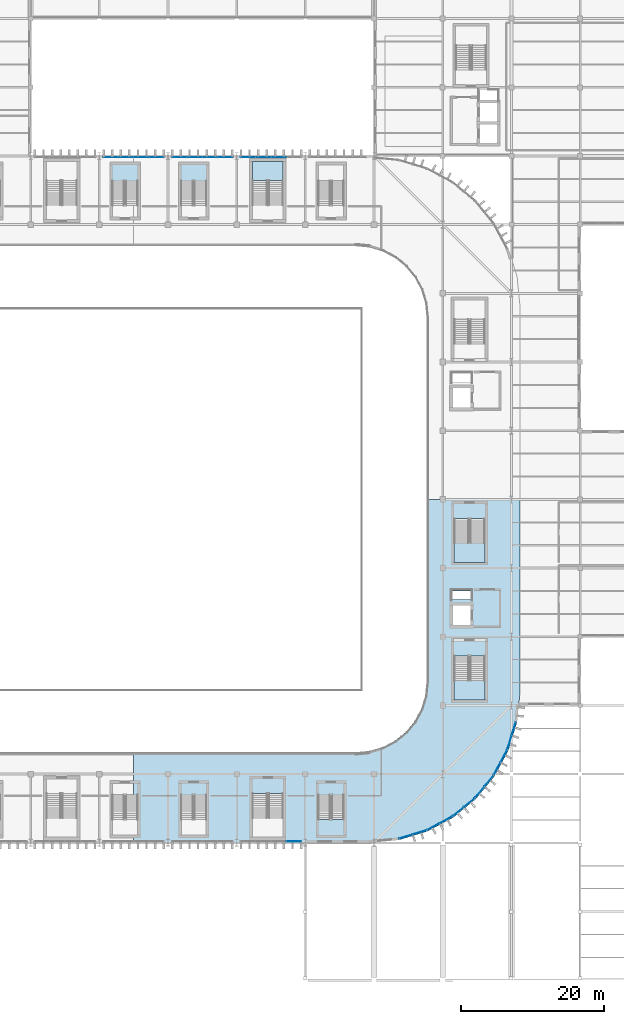
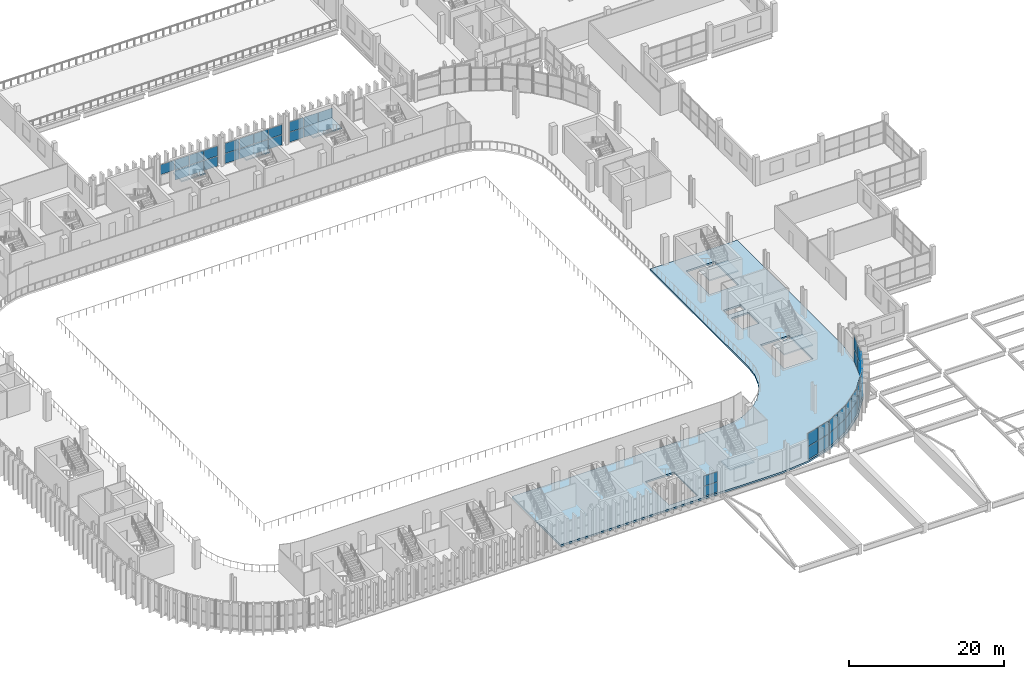
# One storey, part 39 of 75: 47 plates, 7 slabs, 16 elements without a shape of their own.
"""IFC4 building model written with IfcOpenShell, lengths in metres."""

import ifcopenshell
import ifcopenshell.guid

model = None  # the IFC model being written
_history = None  # IfcOwnerHistory: only IFC2X3 demands one
_inside = {}  # id of a spatial element -> (the spatial element, [elements in it])
_under = {}  # id of a project, library or spatial element -> (it, [spatial elements below it])
_declared = {}  # id of a project -> (the project, [libraries it declares])
_typed = {}  # id of a type object -> (the type object, [elements of that type])
_made_of = {}  # id of a material, layer set ... -> (it, [elements and type objects made of it])


def new_model(schema):
    """Start an empty IFC model of exactly this schema.

    Asked for "IFC4X3", IfcOpenShell would pick the latest addendum, in which some entities
    have other attributes; the version numbers below select the first issue.
    IFC2X3 requires an IfcOwnerHistory on every rooted entity: one is made here for all.
    """
    global model, _history
    if schema == "IFC4X3":
        model = ifcopenshell.file(schema_version=(4, 3, 0, 0))
    else:
        model = ifcopenshell.file(schema=schema)
    _inside.clear()
    _under.clear()
    _declared.clear()
    _typed.clear()
    _made_of.clear()
    _history = None
    if model.schema == "IFC2X3":
        org = make("IfcOrganization", Name="unknown")
        user = make(
            "IfcPersonAndOrganization",
            ThePerson=make("IfcPerson", FamilyName="unknown"),
            TheOrganization=org,
        )
        app = make(
            "IfcApplication",
            ApplicationDeveloper=org,
            Version="unknown",
            ApplicationFullName="unknown",
            ApplicationIdentifier="unknown",
        )
        _history = make(
            "IfcOwnerHistory",
            OwningUser=user,
            OwningApplication=app,
            ChangeAction="ADDED",
            CreationDate=0,
        )
    return model


def make(cls, **values):
    """One entity of the class cls with the attributes given. An attribute that is None is left unset."""
    return model.create_entity(
        cls, **{name: value for name, value in values.items() if value is not None}
    )


def rooted(cls, **values):
    """An entity with a GlobalId (a new one), such as an element, a storey or a relation."""
    return make(cls, GlobalId=ifcopenshell.guid.new(), OwnerHistory=_history, **values)


def si_unit(unit_type, name, prefix=None):
    """IfcSIUnit, for example si_unit("LENGTHUNIT", "METRE", prefix="MILLI")."""
    return make("IfcSIUnit", UnitType=unit_type, Prefix=prefix, Name=name)


def assignment(units):
    """IfcUnitAssignment: the units of a project."""
    return None if units is None else make("IfcUnitAssignment", Units=units)


def point(xyz):
    """IfcCartesianPoint."""
    return None if xyz is None else make("IfcCartesianPoint", Coordinates=xyz)


def direction(xyz):
    """IfcDirection."""
    return None if xyz is None else make("IfcDirection", DirectionRatios=xyz)


def frame(location, z_axis=None, x_axis=None):
    """IfcAxis2Placement3D, a coordinate frame: its origin and axes. An axis left out is left unset."""
    return make(
        "IfcAxis2Placement3D",
        Location=point(location),
        Axis=direction(z_axis),
        RefDirection=direction(x_axis),
    )


def frame_2d(location, x_axis=None):
    """IfcAxis2Placement2D, a coordinate frame in the plane: its origin and x axis."""
    return make(
        "IfcAxis2Placement2D", Location=point(location), RefDirection=direction(x_axis)
    )


def origin():
    """The frame at (0, 0, 0) with its axes left unset."""
    return frame((0.0, 0.0, 0.0))


def origin_2d():
    """The frame at (0, 0) in the plane with its x axis left unset."""
    return frame_2d((0.0, 0.0))


def place(relative_to, where):
    """IfcLocalPlacement: puts the frame where relative to a parent placement (None: the world)."""
    return make(
        "IfcLocalPlacement", PlacementRelTo=relative_to, RelativePlacement=where
    )


def context(
    kind, dimensions, precision=None, world=None, true_north=None, identifier=None
):
    """IfcGeometricRepresentationContext, for example the 3D "Model" context."""
    return make(
        "IfcGeometricRepresentationContext",
        ContextIdentifier=identifier,
        ContextType=kind,
        CoordinateSpaceDimension=dimensions,
        Precision=precision,
        WorldCoordinateSystem=world,
        TrueNorth=true_north,
    )


def subcontext(parent, identifier, kind, view, scale=None):
    """IfcGeometricRepresentationSubContext, for example "Body" below "Model"."""
    return make(
        "IfcGeometricRepresentationSubContext",
        ContextIdentifier=identifier,
        ContextType=kind,
        ParentContext=parent,
        TargetScale=scale,
        TargetView=view,
    )


def project(units=None, contexts=None):
    """IfcProject with its units and contexts."""
    return rooted(
        "IfcProject",
        Name="project",
        RepresentationContexts=contexts,
        UnitsInContext=assignment(units),
    )


def spatial(cls, under=None, at=None, **own):
    """A site, building, storey or space (cls), placed at a placement, below another one or the project."""
    s = rooted(cls, ObjectPlacement=at, **own)
    if under is not None:
        _under.setdefault(under.id(), (under, []))[1].append(s)
    return s


def polyline(points):
    """IfcPolyline through the points."""
    return make("IfcPolyline", Points=[point(p) for p in points])


def profile(cls, at=None, kind="AREA", **sizes):
    """A parametric profile (cls). Its sizes go by their IFC names, for example OverallWidth=200.0."""
    return make(cls, ProfileType=kind, Position=at, **sizes)


def rectangle(**sizes):
    """IfcRectangleProfileDef."""
    return profile("IfcRectangleProfileDef", **sizes)


def outline(outer, holes=None, kind="AREA"):
    """IfcArbitraryClosedProfileDef: a profile drawn as a closed curve; with holes, ...WithVoids."""
    if holes is None:
        return make("IfcArbitraryClosedProfileDef", ProfileType=kind, OuterCurve=outer)
    return make(
        "IfcArbitraryProfileDefWithVoids",
        ProfileType=kind,
        OuterCurve=outer,
        InnerCurves=holes,
    )


def extrude(swept, where, along, depth):
    """IfcExtrudedAreaSolid: the profile swept, set in the frame where, extruded along a direction by depth."""
    return make(
        "IfcExtrudedAreaSolid",
        SweptArea=swept,
        Position=where,
        ExtrudedDirection=direction(along),
        Depth=depth,
    )


def shape(context_of_items, identifier, shape_type, items):
    """IfcShapeRepresentation: the items that make up one representation, for example the "Body"."""
    return make(
        "IfcShapeRepresentation",
        ContextOfItems=context_of_items,
        RepresentationIdentifier=identifier,
        RepresentationType=shape_type,
        Items=items,
    )


def material(Name=None, Category=None):
    """IfcMaterial."""
    return make("IfcMaterial", Name=Name, Category=Category)


def layer(
    of_material, thickness, ventilated=None, Name=None, Category=None, Priority=None
):
    """IfcMaterialLayer: one layer of a wall or slab, of a material (None: an air gap)."""
    return make(
        "IfcMaterialLayer",
        Material=of_material,
        LayerThickness=thickness,
        IsVentilated=ventilated,
        Name=Name,
        Category=Category,
        Priority=Priority,
    )


def layer_set(layers, Name=None):
    """IfcMaterialLayerSet."""
    return make("IfcMaterialLayerSet", MaterialLayers=layers, LayerSetName=Name)


def made_of(thing, what):
    """Note that an element or type object is made of a material, layer set ...; save() writes the relation."""
    if what is not None:
        _made_of.setdefault(what.id(), (what, []))[1].append(thing)
    return thing


def type_object(cls, material=None, **own):
    """A type object (cls), such as IfcWallType, which elements share."""
    return made_of(rooted(cls, **own), material)


def element(
    cls,
    number,
    at=None,
    inside=None,
    cuts=None,
    type_object=None,
    material=None,
    context=None,
    identifier="Body",
    shape_type=None,
    held_by="IfcProductDefinitionShape",
    body=None,
    shapes=None,
    **own,
):
    """One element of the class cls, such as IfcWall. Its Tag is "e" and its number.

    at: its placement. inside: the storey or other place that contains it. cuts: it is an
    opening in that element (IfcRelVoidsElement). A single representation is given by context,
    identifier, shape_type and body (its items); several are given by shapes. held_by: the class
    of the entity that holds the representations. save() writes the other relations.
    """
    e = rooted(cls, Tag="e%d" % number, ObjectPlacement=at, **own)
    if body is not None:
        shapes = [shape(context, identifier, shape_type, body)]
    if shapes is not None:
        e.Representation = make(held_by, Representations=shapes)
    if inside is not None:
        _inside.setdefault(inside.id(), (inside, []))[1].append(e)
    if cuts is not None:
        rooted(
            "IfcRelVoidsElement", RelatingBuildingElement=cuts, RelatedOpeningElement=e
        )
    if type_object is not None:
        _typed.setdefault(type_object.id(), (type_object, []))[1].append(e)
    return made_of(e, material)


def aggregate(whole, parts):
    """IfcRelAggregates: a whole, such as a stair, and the parts it consists of."""
    return rooted("IfcRelAggregates", RelatingObject=whole, RelatedObjects=parts)


def save(model, path):
    """Write the relations noted so far, then the file.

    IfcRelAggregates (storeys below a building ...), IfcRelContainedInSpatialStructure (elements
    in a storey), IfcRelDefinesByType, IfcRelAssociatesMaterial and IfcRelDeclares: one each for
    every whole, place, type object, material and project.
    """
    for whole, parts in _under.values():
        aggregate(whole, parts)
    for where, things in _inside.values():
        rooted(
            "IfcRelContainedInSpatialStructure",
            RelatedElements=things,
            RelatingStructure=where,
        )
    for kind, things in _typed.values():
        rooted("IfcRelDefinesByType", RelatedObjects=things, RelatingType=kind)
    for what, things in _made_of.values():
        rooted("IfcRelAssociatesMaterial", RelatedObjects=things, RelatingMaterial=what)
    for by, libraries in _declared.values():
        rooted("IfcRelDeclares", RelatingContext=by, RelatedDefinitions=libraries)
    model.write(path)


model = new_model("IFC4")

# Units and contexts
model_context = context("Model", 3, precision=1e-05, world=origin(), true_north=direction((0.0, 1.0)))
body_context = subcontext(model_context, "Body", "Model", "MODEL_VIEW")
ifc_project = project(units=[si_unit("LENGTHUNIT", "METRE"), si_unit("AREAUNIT", "SQUARE_METRE"), si_unit("VOLUMEUNIT", "CUBIC_METRE"), si_unit("PLANEANGLEUNIT", "RADIAN"), si_unit("MASSUNIT", "GRAM", prefix="KILO")], contexts=[model_context])

# Site, building, storey
site_placement = place(None, origin())
site = spatial("IfcSite", under=ifc_project, at=site_placement, CompositionType="ELEMENT")
building_placement = place(site_placement, origin())
building = spatial("IfcBuilding", under=site, at=building_placement, Name="Caelomonte Colonnade Arena", CompositionType="ELEMENT")
storey_placement = place(building_placement, frame((0.0, 0.0, 14.10009765625)))
storey = spatial("IfcBuildingStorey", under=building, at=storey_placement, Name="L03", CompositionType="ELEMENT", Elevation=14.10009765625)

# Curtain wall, plates
ifc_material_1 = material(Name="Bronze anodised aluminium and low-E glazing", Category="aluminium")
ifc_layer_1 = layer(ifc_material_1, 0.179931640625)
ifc_layer_set_1 = layer_set([ifc_layer_1], Name="Bronze anodised aluminium and low-E glazing")
curtain_wall_type_1 = type_object("IfcCurtainWallType", Name="ENV-CW-CW-L03-96-33", PredefinedType="USERDEFINED", material=ifc_layer_set_1)
curtain_wall_1_placement = place(storey_placement, origin())
curtain_wall_1 = element("IfcCurtainWall", 1, at=curtain_wall_1_placement, inside=storey, type_object=curtain_wall_type_1, Name="L03 unitized curtain wall CW-L03-1296-0194", ObjectType="UNITIZED CURTAIN WALL", PredefinedType="USERDEFINED")
ifc_material_2 = material(Name="Solar-control bronze low-E double glazing", Category="glass")
ifc_layer_2 = layer(ifc_material_2, 0.035888671875)
ifc_layer_set_2 = layer_set([ifc_layer_2], Name="Solar-control bronze low-E double glazing")
plate_type = type_object("IfcPlateType", Name="ENV-CW-PAN36", PredefinedType="CURTAIN_PANEL", material=ifc_layer_set_2)
plate_1_placement = place(storey_placement, frame((132.812255859375, 19.3798828125, 0.06982421875), z_axis=(0.0, 0.0, 1.0), x_axis=(1.0, 0.0, 0.0)))
plate_1 = element("IfcPlate", 2, at=plate_1_placement, type_object=plate_type, Name="CW-L03-96-33 panel 4.1", PredefinedType="CURTAIN_PANEL", context=body_context, shape_type="SweptSolid", body=[
    extrude(rectangle(XDim=2.048095703125, YDim=0.035888671875, at=origin_2d()), origin(), (0.0, 0.0, 1.0), 1.551513671875),
])
plate_2_placement = place(storey_placement, frame((132.812255859375, 19.3798828125, 1.69140625), z_axis=(0.0, 0.0, 1.0), x_axis=(1.0, 0.0, 0.0)))
plate_2 = element("IfcPlate", 3, at=plate_2_placement, type_object=plate_type, Name="CW-L03-96-33 panel 4.2", PredefinedType="CURTAIN_PANEL", context=body_context, shape_type="SweptSolid", body=[
    extrude(rectangle(XDim=2.048095703125, YDim=0.035888671875, at=origin_2d()), origin(), (0.0, 0.0, 1.0), 1.551513671875),
])
aggregate(curtain_wall_1, [plate_1, plate_2])

ifc_layer_3 = layer(ifc_material_1, 0.179931640625)
ifc_layer_set_3 = layer_set([ifc_layer_3], Name="Bronze anodised aluminium and low-E glazing")
curtain_wall_type_2 = type_object("IfcCurtainWallType", Name="ENV-CW-CW-L03-44-42", PredefinedType="USERDEFINED", material=ifc_layer_set_3)
curtain_wall_2_placement = place(storey_placement, origin())
curtain_wall_2 = element("IfcCurtainWall", 4, at=curtain_wall_2_placement, inside=storey, type_object=curtain_wall_type_2, Name="L03 unitized curtain wall CW-L03-1494-0204", ObjectType="UNITIZED CURTAIN WALL", PredefinedType="USERDEFINED")
plate_3_placement = place(storey_placement, frame((148.46533203125, 20.08544921875, 0.06982421875), z_axis=(0.0, 0.0, 1.0), x_axis=(0.956949160999, 0.290255582655, 0.0)))
plate_3 = element("IfcPlate", 5, at=plate_3_placement, type_object=plate_type, Name="CW-L03-44-42 panel 1.1", PredefinedType="CURTAIN_PANEL", context=body_context, shape_type="SweptSolid", body=[
    extrude(rectangle(XDim=1.913330078125, YDim=0.035888671875, at=origin_2d()), origin(), (0.0, 0.0, 1.0), 2.014892578125),
])
plate_4_placement = place(storey_placement, frame((148.46533203125, 20.08544921875, 2.15478515625), z_axis=(0.0, 0.0, 1.0), x_axis=(0.956949160999, 0.290255582655, 0.0)))
plate_4 = element("IfcPlate", 6, at=plate_4_placement, type_object=plate_type, Name="CW-L03-44-42 panel 1.2", PredefinedType="CURTAIN_PANEL", context=body_context, shape_type="SweptSolid", body=[
    extrude(rectangle(XDim=1.913330078125, YDim=0.035888671875, at=origin_2d()), origin(), (0.0, 0.0, 1.0), 2.014892578125),
])
plate_5_placement = place(storey_placement, frame((150.36328125, 20.6611328125, 0.06982421875), z_axis=(0.0, 0.0, 1.0), x_axis=(0.956949160999, 0.290255582655, 0.0)))
plate_5 = element("IfcPlate", 7, at=plate_5_placement, type_object=plate_type, Name="CW-L03-44-42 panel 2.1", PredefinedType="CURTAIN_PANEL", context=body_context, shape_type="SweptSolid", body=[
    extrude(rectangle(XDim=1.913330078125, YDim=0.035888671875, at=origin_2d()), origin(), (0.0, 0.0, 1.0), 2.014892578125),
])
plate_6_placement = place(storey_placement, frame((150.36328125, 20.6611328125, 2.15478515625), z_axis=(0.0, 0.0, 1.0), x_axis=(0.956949160999, 0.290255582655, 0.0)))
plate_6 = element("IfcPlate", 8, at=plate_6_placement, type_object=plate_type, Name="CW-L03-44-42 panel 2.2", PredefinedType="CURTAIN_PANEL", context=body_context, shape_type="SweptSolid", body=[
    extrude(rectangle(XDim=1.913330078125, YDim=0.035888671875, at=origin_2d()), origin(), (0.0, 0.0, 1.0), 2.014892578125),
])
aggregate(curtain_wall_2, [plate_3, plate_4, plate_5, plate_6])

curtain_wall_3_placement = place(storey_placement, origin())
curtain_wall_3 = element("IfcCurtainWall", 9, at=curtain_wall_3_placement, inside=storey, type_object=curtain_wall_type_2, Name="L03 unitized curtain wall CW-L03-1532-0219", ObjectType="UNITIZED CURTAIN WALL", PredefinedType="USERDEFINED")
plate_7_placement = place(storey_placement, frame((152.292236328125, 21.4599609375, 0.06982421875), z_axis=(0.0, 0.0, 1.0), x_axis=(0.881922613642, 0.471394212466, 0.0)))
plate_7 = element("IfcPlate", 10, at=plate_7_placement, type_object=plate_type, Name="CW-L03-44-42 panel 1.1", PredefinedType="CURTAIN_PANEL", context=body_context, shape_type="SweptSolid", body=[
    extrude(rectangle(XDim=1.913330078125, YDim=0.035888671875, at=origin_2d()), origin(), (0.0, 0.0, 1.0), 2.014892578125),
])
plate_8_placement = place(storey_placement, frame((152.292236328125, 21.4599609375, 2.15478515625), z_axis=(0.0, 0.0, 1.0), x_axis=(0.881922613642, 0.471394212466, 0.0)))
plate_8 = element("IfcPlate", 11, at=plate_8_placement, type_object=plate_type, Name="CW-L03-44-42 panel 1.2", PredefinedType="CURTAIN_PANEL", context=body_context, shape_type="SweptSolid", body=[
    extrude(rectangle(XDim=1.913330078125, YDim=0.035888671875, at=origin_2d()), origin(), (0.0, 0.0, 1.0), 2.014892578125),
])
plate_9_placement = place(storey_placement, frame((154.04150390625, 22.39501953125, 0.06982421875), z_axis=(0.0, 0.0, 1.0), x_axis=(0.881922613642, 0.471394212466, 0.0)))
plate_9 = element("IfcPlate", 12, at=plate_9_placement, type_object=plate_type, Name="CW-L03-44-42 panel 2.1", PredefinedType="CURTAIN_PANEL", context=body_context, shape_type="SweptSolid", body=[
    extrude(rectangle(XDim=1.913330078125, YDim=0.035888671875, at=origin_2d()), origin(), (0.0, 0.0, 1.0), 2.014892578125),
])
plate_10_placement = place(storey_placement, frame((154.04150390625, 22.39501953125, 2.15478515625), z_axis=(0.0, 0.0, 1.0), x_axis=(0.881922613642, 0.471394212466, 0.0)))
plate_10 = element("IfcPlate", 13, at=plate_10_placement, type_object=plate_type, Name="CW-L03-44-42 panel 2.2", PredefinedType="CURTAIN_PANEL", context=body_context, shape_type="SweptSolid", body=[
    extrude(rectangle(XDim=1.913330078125, YDim=0.035888671875, at=origin_2d()), origin(), (0.0, 0.0, 1.0), 2.014892578125),
])
aggregate(curtain_wall_3, [plate_7, plate_8, plate_9, plate_10])

curtain_wall_4_placement = place(storey_placement, origin())
curtain_wall_4 = element("IfcCurtainWall", 14, at=curtain_wall_4_placement, inside=storey, type_object=curtain_wall_type_2, Name="L03 unitized curtain wall CW-L03-1565-0242", ObjectType="UNITIZED CURTAIN WALL", PredefinedType="USERDEFINED")
plate_11_placement = place(storey_placement, frame((155.77734375, 23.554931640625, 0.06982421875), z_axis=(0.0, 0.0, 1.0), x_axis=(0.772991751994, 0.634416071163, 0.0)))
plate_11 = element("IfcPlate", 15, at=plate_11_placement, type_object=plate_type, Name="CW-L03-44-42 panel 1.1", PredefinedType="CURTAIN_PANEL", context=body_context, shape_type="SweptSolid", body=[
    extrude(rectangle(XDim=1.913330078125, YDim=0.035888671875, at=origin_2d()), origin(), (0.0, 0.0, 1.0), 2.014892578125),
])
plate_12_placement = place(storey_placement, frame((155.77734375, 23.554931640625, 2.15478515625), z_axis=(0.0, 0.0, 1.0), x_axis=(0.772991751994, 0.634416071163, 0.0)))
plate_12 = element("IfcPlate", 16, at=plate_12_placement, type_object=plate_type, Name="CW-L03-44-42 panel 1.2", PredefinedType="CURTAIN_PANEL", context=body_context, shape_type="SweptSolid", body=[
    extrude(rectangle(XDim=1.913330078125, YDim=0.035888671875, at=origin_2d()), origin(), (0.0, 0.0, 1.0), 2.014892578125),
])
plate_13_placement = place(storey_placement, frame((157.310546875, 24.813232421875, 0.06982421875), z_axis=(0.0, 0.0, 1.0), x_axis=(0.772991751994, 0.634416071163, 0.0)))
plate_13 = element("IfcPlate", 17, at=plate_13_placement, type_object=plate_type, Name="CW-L03-44-42 panel 2.1", PredefinedType="CURTAIN_PANEL", context=body_context, shape_type="SweptSolid", body=[
    extrude(rectangle(XDim=1.913330078125, YDim=0.035888671875, at=origin_2d()), origin(), (0.0, 0.0, 1.0), 2.014892578125),
])
plate_14_placement = place(storey_placement, frame((157.310546875, 24.813232421875, 2.15478515625), z_axis=(0.0, 0.0, 1.0), x_axis=(0.772991751994, 0.634416071163, 0.0)))
plate_14 = element("IfcPlate", 18, at=plate_14_placement, type_object=plate_type, Name="CW-L03-44-42 panel 2.2", PredefinedType="CURTAIN_PANEL", context=body_context, shape_type="SweptSolid", body=[
    extrude(rectangle(XDim=1.913330078125, YDim=0.035888671875, at=origin_2d()), origin(), (0.0, 0.0, 1.0), 2.014892578125),
])
aggregate(curtain_wall_4, [plate_11, plate_12, plate_13, plate_14])

curtain_wall_5_placement = place(storey_placement, origin())
curtain_wall_5 = element("IfcCurtainWall", 19, at=curtain_wall_5_placement, inside=storey, type_object=curtain_wall_type_2, Name="L03 unitized curtain wall CW-L03-1594-0271", ObjectType="UNITIZED CURTAIN WALL", PredefinedType="USERDEFINED")
plate_15_placement = place(storey_placement, frame((158.786865234375, 26.28955078125, 0.06982421875), z_axis=(0.0, 0.0, 1.0), x_axis=(0.634416071163, 0.772991751994, 0.0)))
plate_15 = element("IfcPlate", 20, at=plate_15_placement, type_object=plate_type, Name="CW-L03-44-42 panel 1.1", PredefinedType="CURTAIN_PANEL", context=body_context, shape_type="SweptSolid", body=[
    extrude(rectangle(XDim=1.913330078125, YDim=0.035888671875, at=origin_2d()), origin(), (0.0, 0.0, 1.0), 2.014892578125),
])
plate_16_placement = place(storey_placement, frame((158.786865234375, 26.28955078125, 2.15478515625), z_axis=(0.0, 0.0, 1.0), x_axis=(0.634416071163, 0.772991751994, 0.0)))
plate_16 = element("IfcPlate", 21, at=plate_16_placement, type_object=plate_type, Name="CW-L03-44-42 panel 1.2", PredefinedType="CURTAIN_PANEL", context=body_context, shape_type="SweptSolid", body=[
    extrude(rectangle(XDim=1.913330078125, YDim=0.035888671875, at=origin_2d()), origin(), (0.0, 0.0, 1.0), 2.014892578125),
])
plate_17_placement = place(storey_placement, frame((160.045166015625, 27.82275390625, 0.06982421875), z_axis=(0.0, 0.0, 1.0), x_axis=(0.634416071163, 0.772991751994, 0.0)))
plate_17 = element("IfcPlate", 22, at=plate_17_placement, type_object=plate_type, Name="CW-L03-44-42 panel 2.1", PredefinedType="CURTAIN_PANEL", context=body_context, shape_type="SweptSolid", body=[
    extrude(rectangle(XDim=1.913330078125, YDim=0.035888671875, at=origin_2d()), origin(), (0.0, 0.0, 1.0), 2.014892578125),
])
plate_18_placement = place(storey_placement, frame((160.045166015625, 27.82275390625, 2.15478515625), z_axis=(0.0, 0.0, 1.0), x_axis=(0.634416071163, 0.772991751994, 0.0)))
plate_18 = element("IfcPlate", 23, at=plate_18_placement, type_object=plate_type, Name="CW-L03-44-42 panel 2.2", PredefinedType="CURTAIN_PANEL", context=body_context, shape_type="SweptSolid", body=[
    extrude(rectangle(XDim=1.913330078125, YDim=0.035888671875, at=origin_2d()), origin(), (0.0, 0.0, 1.0), 2.014892578125),
])
aggregate(curtain_wall_5, [plate_15, plate_16, plate_17, plate_18])

curtain_wall_6_placement = place(storey_placement, origin())
curtain_wall_6 = element("IfcCurtainWall", 24, at=curtain_wall_6_placement, inside=storey, type_object=curtain_wall_type_2, Name="L03 unitized curtain wall CW-L03-1617-0304", ObjectType="UNITIZED CURTAIN WALL", PredefinedType="USERDEFINED")
plate_19_placement = place(storey_placement, frame((161.205078125, 29.55859375, 0.06982421875), z_axis=(0.0, 0.0, 1.0), x_axis=(0.471394212466, 0.881922613642, 0.0)))
plate_19 = element("IfcPlate", 25, at=plate_19_placement, type_object=plate_type, Name="CW-L03-44-42 panel 1.1", PredefinedType="CURTAIN_PANEL", context=body_context, shape_type="SweptSolid", body=[
    extrude(rectangle(XDim=1.913330078125, YDim=0.035888671875, at=origin_2d()), origin(), (0.0, 0.0, 1.0), 2.014892578125),
])
plate_20_placement = place(storey_placement, frame((161.205078125, 29.55859375, 2.15478515625), z_axis=(0.0, 0.0, 1.0), x_axis=(0.471394212466, 0.881922613642, 0.0)))
plate_20 = element("IfcPlate", 26, at=plate_20_placement, type_object=plate_type, Name="CW-L03-44-42 panel 1.2", PredefinedType="CURTAIN_PANEL", context=body_context, shape_type="SweptSolid", body=[
    extrude(rectangle(XDim=1.913330078125, YDim=0.035888671875, at=origin_2d()), origin(), (0.0, 0.0, 1.0), 2.014892578125),
])
plate_21_placement = place(storey_placement, frame((162.139892578125, 31.307861328125, 0.06982421875), z_axis=(0.0, 0.0, 1.0), x_axis=(0.471394212466, 0.881922613642, 0.0)))
plate_21 = element("IfcPlate", 27, at=plate_21_placement, type_object=plate_type, Name="CW-L03-44-42 panel 2.1", PredefinedType="CURTAIN_PANEL", context=body_context, shape_type="SweptSolid", body=[
    extrude(rectangle(XDim=1.913330078125, YDim=0.035888671875, at=origin_2d()), origin(), (0.0, 0.0, 1.0), 2.014892578125),
])
plate_22_placement = place(storey_placement, frame((162.139892578125, 31.307861328125, 2.15478515625), z_axis=(0.0, 0.0, 1.0), x_axis=(0.471394212466, 0.881922613642, 0.0)))
plate_22 = element("IfcPlate", 28, at=plate_22_placement, type_object=plate_type, Name="CW-L03-44-42 panel 2.2", PredefinedType="CURTAIN_PANEL", context=body_context, shape_type="SweptSolid", body=[
    extrude(rectangle(XDim=1.913330078125, YDim=0.035888671875, at=origin_2d()), origin(), (0.0, 0.0, 1.0), 2.014892578125),
])
aggregate(curtain_wall_6, [plate_19, plate_20, plate_21, plate_22])

curtain_wall_7_placement = place(storey_placement, origin())
curtain_wall_7 = element("IfcCurtainWall", 29, at=curtain_wall_7_placement, inside=storey, type_object=curtain_wall_type_2, Name="L03 unitized curtain wall CW-L03-1632-0342", ObjectType="UNITIZED CURTAIN WALL", PredefinedType="USERDEFINED")
plate_23_placement = place(storey_placement, frame((162.93896484375, 33.236572265625, 0.06982421875), z_axis=(0.0, 0.0, 1.0), x_axis=(0.290255582655, 0.956949160999, 0.0)))
plate_23 = element("IfcPlate", 30, at=plate_23_placement, type_object=plate_type, Name="CW-L03-44-42 panel 1.1", PredefinedType="CURTAIN_PANEL", context=body_context, shape_type="SweptSolid", body=[
    extrude(rectangle(XDim=1.913330078125, YDim=0.035888671875, at=origin_2d()), origin(), (0.0, 0.0, 1.0), 2.014892578125),
])
plate_24_placement = place(storey_placement, frame((162.93896484375, 33.236572265625, 2.15478515625), z_axis=(0.0, 0.0, 1.0), x_axis=(0.290255582655, 0.956949160999, 0.0)))
plate_24 = element("IfcPlate", 31, at=plate_24_placement, type_object=plate_type, Name="CW-L03-44-42 panel 1.2", PredefinedType="CURTAIN_PANEL", context=body_context, shape_type="SweptSolid", body=[
    extrude(rectangle(XDim=1.913330078125, YDim=0.035888671875, at=origin_2d()), origin(), (0.0, 0.0, 1.0), 2.014892578125),
])
plate_25_placement = place(storey_placement, frame((163.5146484375, 35.134521484375, 0.06982421875), z_axis=(0.0, 0.0, 1.0), x_axis=(0.290255582655, 0.956949160999, 0.0)))
plate_25 = element("IfcPlate", 32, at=plate_25_placement, type_object=plate_type, Name="CW-L03-44-42 panel 2.1", PredefinedType="CURTAIN_PANEL", context=body_context, shape_type="SweptSolid", body=[
    extrude(rectangle(XDim=1.913330078125, YDim=0.035888671875, at=origin_2d()), origin(), (0.0, 0.0, 1.0), 2.014892578125),
])
plate_26_placement = place(storey_placement, frame((163.5146484375, 35.134521484375, 2.15478515625), z_axis=(0.0, 0.0, 1.0), x_axis=(0.290255582655, 0.956949160999, 0.0)))
plate_26 = element("IfcPlate", 33, at=plate_26_placement, type_object=plate_type, Name="CW-L03-44-42 panel 2.2", PredefinedType="CURTAIN_PANEL", context=body_context, shape_type="SweptSolid", body=[
    extrude(rectangle(XDim=1.913330078125, YDim=0.035888671875, at=origin_2d()), origin(), (0.0, 0.0, 1.0), 2.014892578125),
])
aggregate(curtain_wall_7, [plate_23, plate_24, plate_25, plate_26])

curtain_wall_8_placement = place(storey_placement, origin())
curtain_wall_8 = element("IfcCurtainWall", 34, at=curtain_wall_8_placement, inside=storey, type_object=curtain_wall_type_1, Name="L03 unitized curtain wall CW-L03-1296-1150", ObjectType="UNITIZED CURTAIN WALL", PredefinedType="USERDEFINED")
plate_27_placement = place(storey_placement, frame((130.676513671875, 115.02001953125, 0.06982421875), z_axis=(0.0, 0.0, 1.0), x_axis=(-1.0, 0.0, 0.0)))
plate_27 = element("IfcPlate", 35, at=plate_27_placement, type_object=plate_type, Name="CW-L03-96-33 panel 2.1", PredefinedType="CURTAIN_PANEL", context=body_context, shape_type="SweptSolid", body=[
    extrude(rectangle(XDim=2.083251953125, YDim=0.035888671875, at=origin_2d()), origin(), (0.0, 0.0, 1.0), 1.551513671875),
])
plate_28_placement = place(storey_placement, frame((130.676513671875, 115.02001953125, 1.69140625), z_axis=(0.0, 0.0, 1.0), x_axis=(-1.0, 0.0, 0.0)))
plate_28 = element("IfcPlate", 36, at=plate_28_placement, type_object=plate_type, Name="CW-L03-96-33 panel 2.2", PredefinedType="CURTAIN_PANEL", context=body_context, shape_type="SweptSolid", body=[
    extrude(rectangle(XDim=2.083251953125, YDim=0.035888671875, at=origin_2d()), origin(), (0.0, 0.0, 1.0), 1.551513671875),
])
plate_29_placement = place(storey_placement, frame((128.5234375, 115.02001953125, 0.06982421875), z_axis=(0.0, 0.0, 1.0), x_axis=(-1.0, 0.0, 0.0)))
plate_29 = element("IfcPlate", 37, at=plate_29_placement, type_object=plate_type, Name="CW-L03-96-33 panel 3.1", PredefinedType="CURTAIN_PANEL", context=body_context, shape_type="SweptSolid", body=[
    extrude(rectangle(XDim=2.083251953125, YDim=0.035888671875, at=origin_2d()), origin(), (0.0, 0.0, 1.0), 1.551513671875),
])
plate_30_placement = place(storey_placement, frame((128.5234375, 115.02001953125, 1.69140625), z_axis=(0.0, 0.0, 1.0), x_axis=(-1.0, 0.0, 0.0)))
plate_30 = element("IfcPlate", 38, at=plate_30_placement, type_object=plate_type, Name="CW-L03-96-33 panel 3.2", PredefinedType="CURTAIN_PANEL", context=body_context, shape_type="SweptSolid", body=[
    extrude(rectangle(XDim=2.083251953125, YDim=0.035888671875, at=origin_2d()), origin(), (0.0, 0.0, 1.0), 1.551513671875),
])
plate_31_placement = place(storey_placement, frame((126.3876953125, 115.02001953125, 0.06982421875), z_axis=(0.0, 0.0, 1.0), x_axis=(-1.0, 0.0, 0.0)))
plate_31 = element("IfcPlate", 39, at=plate_31_placement, type_object=plate_type, Name="CW-L03-96-33 panel 4.1", PredefinedType="CURTAIN_PANEL", context=body_context, shape_type="SweptSolid", body=[
    extrude(rectangle(XDim=2.048095703125, YDim=0.035888671875, at=origin_2d()), origin(), (0.0, 0.0, 1.0), 1.551513671875),
])
plate_32_placement = place(storey_placement, frame((126.3876953125, 115.02001953125, 1.69140625), z_axis=(0.0, 0.0, 1.0), x_axis=(-1.0, 0.0, 0.0)))
plate_32 = element("IfcPlate", 40, at=plate_32_placement, type_object=plate_type, Name="CW-L03-96-33 panel 4.2", PredefinedType="CURTAIN_PANEL", context=body_context, shape_type="SweptSolid", body=[
    extrude(rectangle(XDim=2.048095703125, YDim=0.035888671875, at=origin_2d()), origin(), (0.0, 0.0, 1.0), 1.551513671875),
])
aggregate(curtain_wall_8, [plate_27, plate_28, plate_29, plate_30, plate_31, plate_32])

curtain_wall_9_placement = place(storey_placement, origin())
curtain_wall_9 = element("IfcCurtainWall", 41, at=curtain_wall_9_placement, inside=storey, type_object=curtain_wall_type_1, Name="L03 unitized curtain wall CW-L03-1200-1150", ObjectType="UNITIZED CURTAIN WALL", PredefinedType="USERDEFINED")
plate_33_placement = place(storey_placement, frame((123.212158203125, 115.02001953125, 0.06982421875), z_axis=(0.0, 0.0, 1.0), x_axis=(-1.0, 0.0, 0.0)))
plate_33 = element("IfcPlate", 42, at=plate_33_placement, type_object=plate_type, Name="CW-L03-96-33 panel 1.1", PredefinedType="CURTAIN_PANEL", context=body_context, shape_type="SweptSolid", body=[
    extrude(rectangle(XDim=2.048095703125, YDim=0.035888671875, at=origin_2d()), origin(), (0.0, 0.0, 1.0), 1.551513671875),
])
plate_34_placement = place(storey_placement, frame((123.212158203125, 115.02001953125, 1.69140625), z_axis=(0.0, 0.0, 1.0), x_axis=(-1.0, 0.0, 0.0)))
plate_34 = element("IfcPlate", 43, at=plate_34_placement, type_object=plate_type, Name="CW-L03-96-33 panel 1.2", PredefinedType="CURTAIN_PANEL", context=body_context, shape_type="SweptSolid", body=[
    extrude(rectangle(XDim=2.048095703125, YDim=0.035888671875, at=origin_2d()), origin(), (0.0, 0.0, 1.0), 1.551513671875),
])
plate_35_placement = place(storey_placement, frame((121.07666015625, 115.02001953125, 0.06982421875), z_axis=(0.0, 0.0, 1.0), x_axis=(-1.0, 0.0, 0.0)))
plate_35 = element("IfcPlate", 44, at=plate_35_placement, type_object=plate_type, Name="CW-L03-96-33 panel 2.1", PredefinedType="CURTAIN_PANEL", context=body_context, shape_type="SweptSolid", body=[
    extrude(rectangle(XDim=2.083251953125, YDim=0.035888671875, at=origin_2d()), origin(), (0.0, 0.0, 1.0), 1.551513671875),
])
plate_36_placement = place(storey_placement, frame((121.07666015625, 115.02001953125, 1.69140625), z_axis=(0.0, 0.0, 1.0), x_axis=(-1.0, 0.0, 0.0)))
plate_36 = element("IfcPlate", 45, at=plate_36_placement, type_object=plate_type, Name="CW-L03-96-33 panel 2.2", PredefinedType="CURTAIN_PANEL", context=body_context, shape_type="SweptSolid", body=[
    extrude(rectangle(XDim=2.083251953125, YDim=0.035888671875, at=origin_2d()), origin(), (0.0, 0.0, 1.0), 1.551513671875),
])
plate_37_placement = place(storey_placement, frame((118.92333984375, 115.02001953125, 0.06982421875), z_axis=(0.0, 0.0, 1.0), x_axis=(-1.0, 0.0, 0.0)))
plate_37 = element("IfcPlate", 46, at=plate_37_placement, type_object=plate_type, Name="CW-L03-96-33 panel 3.1", PredefinedType="CURTAIN_PANEL", context=body_context, shape_type="SweptSolid", body=[
    extrude(rectangle(XDim=2.083251953125, YDim=0.035888671875, at=origin_2d()), origin(), (0.0, 0.0, 1.0), 1.551513671875),
])
plate_38_placement = place(storey_placement, frame((118.92333984375, 115.02001953125, 1.69140625), z_axis=(0.0, 0.0, 1.0), x_axis=(-1.0, 0.0, 0.0)))
plate_38 = element("IfcPlate", 47, at=plate_38_placement, type_object=plate_type, Name="CW-L03-96-33 panel 3.2", PredefinedType="CURTAIN_PANEL", context=body_context, shape_type="SweptSolid", body=[
    extrude(rectangle(XDim=2.083251953125, YDim=0.035888671875, at=origin_2d()), origin(), (0.0, 0.0, 1.0), 1.551513671875),
])
plate_39_placement = place(storey_placement, frame((116.787841796875, 115.02001953125, 0.06982421875), z_axis=(0.0, 0.0, 1.0), x_axis=(-1.0, 0.0, 0.0)))
plate_39 = element("IfcPlate", 48, at=plate_39_placement, type_object=plate_type, Name="CW-L03-96-33 panel 4.1", PredefinedType="CURTAIN_PANEL", context=body_context, shape_type="SweptSolid", body=[
    extrude(rectangle(XDim=2.048095703125, YDim=0.035888671875, at=origin_2d()), origin(), (0.0, 0.0, 1.0), 1.551513671875),
])
plate_40_placement = place(storey_placement, frame((116.787841796875, 115.02001953125, 1.69140625), z_axis=(0.0, 0.0, 1.0), x_axis=(-1.0, 0.0, 0.0)))
plate_40 = element("IfcPlate", 49, at=plate_40_placement, type_object=plate_type, Name="CW-L03-96-33 panel 4.2", PredefinedType="CURTAIN_PANEL", context=body_context, shape_type="SweptSolid", body=[
    extrude(rectangle(XDim=2.048095703125, YDim=0.035888671875, at=origin_2d()), origin(), (0.0, 0.0, 1.0), 1.551513671875),
])
aggregate(curtain_wall_9, [plate_33, plate_34, plate_35, plate_36, plate_37, plate_38, plate_39, plate_40])

curtain_wall_10_placement = place(storey_placement, origin())
curtain_wall_10 = element("IfcCurtainWall", 50, at=curtain_wall_10_placement, inside=storey, type_object=curtain_wall_type_1, Name="L03 unitized curtain wall CW-L03-1104-1150", ObjectType="UNITIZED CURTAIN WALL", PredefinedType="USERDEFINED")
plate_41_placement = place(storey_placement, frame((113.6123046875, 115.02001953125, 0.06982421875), z_axis=(0.0, 0.0, 1.0), x_axis=(-1.0, 0.0, 0.0)))
plate_41 = element("IfcPlate", 51, at=plate_41_placement, type_object=plate_type, Name="CW-L03-96-33 panel 1.1", PredefinedType="CURTAIN_PANEL", context=body_context, shape_type="SweptSolid", body=[
    extrude(rectangle(XDim=2.048095703125, YDim=0.035888671875, at=origin_2d()), origin(), (0.0, 0.0, 1.0), 1.551513671875),
])
plate_42_placement = place(storey_placement, frame((113.6123046875, 115.02001953125, 1.69140625), z_axis=(0.0, 0.0, 1.0), x_axis=(-1.0, 0.0, 0.0)))
plate_42 = element("IfcPlate", 52, at=plate_42_placement, type_object=plate_type, Name="CW-L03-96-33 panel 1.2", PredefinedType="CURTAIN_PANEL", context=body_context, shape_type="SweptSolid", body=[
    extrude(rectangle(XDim=2.048095703125, YDim=0.035888671875, at=origin_2d()), origin(), (0.0, 0.0, 1.0), 1.551513671875),
])
plate_43_placement = place(storey_placement, frame((111.4765625, 115.02001953125, 0.06982421875), z_axis=(0.0, 0.0, 1.0), x_axis=(-1.0, 0.0, 0.0)))
plate_43 = element("IfcPlate", 53, at=plate_43_placement, type_object=plate_type, Name="CW-L03-96-33 panel 2.1", PredefinedType="CURTAIN_PANEL", context=body_context, shape_type="SweptSolid", body=[
    extrude(rectangle(XDim=2.083251953125, YDim=0.035888671875, at=origin_2d()), origin(), (0.0, 0.0, 1.0), 1.551513671875),
])
plate_44_placement = place(storey_placement, frame((111.4765625, 115.02001953125, 1.69140625), z_axis=(0.0, 0.0, 1.0), x_axis=(-1.0, 0.0, 0.0)))
plate_44 = element("IfcPlate", 54, at=plate_44_placement, type_object=plate_type, Name="CW-L03-96-33 panel 2.2", PredefinedType="CURTAIN_PANEL", context=body_context, shape_type="SweptSolid", body=[
    extrude(rectangle(XDim=2.083251953125, YDim=0.035888671875, at=origin_2d()), origin(), (0.0, 0.0, 1.0), 1.551513671875),
])
plate_45_placement = place(storey_placement, frame((109.323486328125, 115.02001953125, 0.06982421875), z_axis=(0.0, 0.0, 1.0), x_axis=(-1.0, 0.0, 0.0)))
plate_45 = element("IfcPlate", 55, at=plate_45_placement, type_object=plate_type, Name="CW-L03-96-33 panel 3.1", PredefinedType="CURTAIN_PANEL", context=body_context, shape_type="SweptSolid", body=[
    extrude(rectangle(XDim=2.083251953125, YDim=0.035888671875, at=origin_2d()), origin(), (0.0, 0.0, 1.0), 1.551513671875),
])
plate_46_placement = place(storey_placement, frame((109.323486328125, 115.02001953125, 1.69140625), z_axis=(0.0, 0.0, 1.0), x_axis=(-1.0, 0.0, 0.0)))
plate_46 = element("IfcPlate", 56, at=plate_46_placement, type_object=plate_type, Name="CW-L03-96-33 panel 3.2", PredefinedType="CURTAIN_PANEL", context=body_context, shape_type="SweptSolid", body=[
    extrude(rectangle(XDim=2.083251953125, YDim=0.035888671875, at=origin_2d()), origin(), (0.0, 0.0, 1.0), 1.551513671875),
])
plate_47_placement = place(storey_placement, frame((107.187744140625, 115.02001953125, 1.69140625), z_axis=(0.0, 0.0, 1.0), x_axis=(-1.0, 0.0, 0.0)))
plate_47 = element("IfcPlate", 57, at=plate_47_placement, type_object=plate_type, Name="CW-L03-96-33 panel 4.2", PredefinedType="CURTAIN_PANEL", context=body_context, shape_type="SweptSolid", body=[
    extrude(rectangle(XDim=2.048095703125, YDim=0.035888671875, at=origin_2d()), origin(), (0.0, 0.0, 1.0), 1.551513671875),
])
aggregate(curtain_wall_10, [plate_41, plate_42, plate_43, plate_44, plate_45, plate_46, plate_47])

# Stair, slab
ifc_material_3 = material(Name="Concrete C40/50", Category="concrete")
stair_type_1 = type_object("IfcStairType", Name="INT-ST-WING45", PredefinedType="HALF_TURN_STAIR", material=ifc_material_3)
stair_1_placement = place(storey_placement, origin())
stair_1 = element("IfcStair", 58, at=stair_1_placement, inside=storey, type_object=stair_type_1, Name="L03 Core C2 exit stair ST-02", PredefinedType="HALF_TURN_STAIR")
ifc_layer_4 = layer(ifc_material_3, 0.199951171875)
ifc_layer_set_4 = layer_set([ifc_layer_4], Name="Concrete C40/50")
slab_type_1 = type_object("IfcSlabType", Name="INT-SL-LAND20", PredefinedType="LANDING", material=ifc_layer_set_4)
slab_1_placement = place(storey_placement, frame((0.0, 0.0, 2.0498046875)))
slab_1 = element("IfcSlab", 59, at=slab_1_placement, type_object=slab_type_1, Name="ST-02 landing 1", PredefinedType="LANDING", context=body_context, shape_type="SweptSolid", body=[
    extrude(outline(polyline([(155.199951171875, 41.8798828125), (155.199951171875, 39.199951171875), (159.5, 39.199951171875), (159.5, 41.8798828125), (155.199951171875, 41.8798828125)])), origin(), (0.0, 0.0, 1.0), 0.2001953125),
])
aggregate(stair_1, [slab_1])

stair_type_2 = type_object("IfcStairType", Name="INT-ST-CORE45", PredefinedType="HALF_TURN_STAIR", material=ifc_material_3)
stair_2_placement = place(storey_placement, origin())
stair_2 = element("IfcStair", 60, at=stair_2_placement, inside=storey, type_object=stair_type_2, Name="L03 Protected exit stair ST-10", PredefinedType="HALF_TURN_STAIR")
slab_2_placement = place(storey_placement, frame((0.0, 0.0, 2.0498046875)))
slab_2 = element("IfcSlab", 61, at=slab_2_placement, type_object=slab_type_1, Name="ST-10 landing 1", PredefinedType="LANDING", context=body_context, shape_type="SweptSolid", body=[
    extrude(outline(polyline([(155.199951171875, 61.080078125), (155.199951171875, 58.39990234375), (159.5, 58.39990234375), (159.5, 61.080078125), (155.199951171875, 61.080078125)])), origin(), (0.0, 0.0, 1.0), 0.2001953125),
])
aggregate(stair_2, [slab_2])

stair_3_placement = place(storey_placement, origin())
stair_3 = element("IfcStair", 62, at=stair_3_placement, inside=storey, type_object=stair_type_2, Name="L03 Protected exit stair ST-16", PredefinedType="HALF_TURN_STAIR")
slab_3_placement = place(storey_placement, frame((0.0, 0.0, 2.0498046875)))
slab_3 = element("IfcSlab", 63, at=slab_3_placement, type_object=slab_type_1, Name="ST-16 landing 1", PredefinedType="LANDING", context=body_context, shape_type="SweptSolid", body=[
    extrude(outline(polyline([(131.300048828125, 111.77001953125), (131.300048828125, 114.449951171875), (127.0, 114.449951171875), (127.0, 111.77001953125), (131.300048828125, 111.77001953125)])), origin(), (0.0, 0.0, 1.0), 0.2001953125),
])
aggregate(stair_3, [slab_3])

ifc_material_4 = material(Name="Precast concrete C40/50", Category="concrete")
stair_type_3 = type_object("IfcStairType", Name="INT-ST-VOMU", PredefinedType="HALF_TURN_STAIR", material=ifc_material_4)
stair_4_placement = place(storey_placement, origin())
stair_4 = element("IfcStair", 64, at=stair_4_placement, inside=storey, type_object=stair_type_3, Name="L03 Vomitory VOM-12 aisle stair ST-V12", PredefinedType="HALF_TURN_STAIR")
slab_4_placement = place(storey_placement, frame((0.0, 0.0, 2.0498046875)))
slab_4 = element("IfcSlab", 65, at=slab_4_placement, type_object=slab_type_1, Name="ST-V12 landing 1", PredefinedType="LANDING", context=body_context, shape_type="SweptSolid", body=[
    extrude(outline(polyline([(136.199951171875, 22.47998046875), (136.199951171875, 20.199951171875), (139.800048828125, 20.199951171875), (139.800048828125, 22.47998046875), (136.199951171875, 22.47998046875)])), origin(), (0.0, 0.0, 1.0), 0.2001953125),
])
aggregate(stair_4, [slab_4])

stair_5_placement = place(storey_placement, origin())
stair_5 = element("IfcStair", 66, at=stair_5_placement, inside=storey, type_object=stair_type_3, Name="L03 Vomitory VOM-14 aisle stair ST-V14", PredefinedType="HALF_TURN_STAIR")
slab_5_placement = place(storey_placement, frame((0.0, 0.0, 2.0498046875)))
slab_5 = element("IfcSlab", 67, at=slab_5_placement, type_object=slab_type_1, Name="ST-V14 landing 1", PredefinedType="LANDING", context=body_context, shape_type="SweptSolid", body=[
    extrude(outline(polyline([(111.0, 111.719970703125), (111.0, 114.0), (107.39990234375, 114.0), (107.39990234375, 111.719970703125), (111.0, 111.719970703125)])), origin(), (0.0, 0.0, 1.0), 0.2001953125),
])
aggregate(stair_5, [slab_5])

stair_6_placement = place(storey_placement, origin())
stair_6 = element("IfcStair", 68, at=stair_6_placement, inside=storey, type_object=stair_type_3, Name="L03 Vomitory VOM-15 aisle stair ST-V15", PredefinedType="HALF_TURN_STAIR")
slab_6_placement = place(storey_placement, frame((0.0, 0.0, 2.0498046875)))
slab_6 = element("IfcSlab", 69, at=slab_6_placement, type_object=slab_type_1, Name="ST-V15 landing 1", PredefinedType="LANDING", context=body_context, shape_type="SweptSolid", body=[
    extrude(outline(polyline([(120.60009765625, 111.719970703125), (120.60009765625, 114.0), (117.0, 114.0), (117.0, 111.719970703125), (120.60009765625, 111.719970703125)])), origin(), (0.0, 0.0, 1.0), 0.2001953125),
])
aggregate(stair_6, [slab_6])

# Slab
ifc_layer_5 = layer(ifc_material_3, 0.280029296875)
ifc_layer_set_5 = layer_set([ifc_layer_5], Name="Concrete C40/50")
slab_type_2 = type_object("IfcSlabType", Name="STR-SL-FLR28", PredefinedType="FLOOR", material=ifc_layer_set_5)
slab_7_placement = place(storey_placement, frame((0.0, 0.0, -0.280029296875)))
element("IfcSlab", 70, at=slab_7_placement, inside=storey, type_object=slab_type_2, Name="L03 structural floor slab SL-L03-V1-SE", PredefinedType="FLOOR", context=body_context, shape_type="SweptSolid", body=[
    extrude(outline(polyline([(164.39990234375, 40.199951171875), (164.39990234375, 67.199951171875), (151.39990234375, 67.199951171875), (151.39990234375, 41.800048828125), (151.2080078125, 39.84912109375), (150.638916015625, 37.97314453125), (149.714599609375, 36.244384765625), (148.47119140625, 34.72900390625), (146.955810546875, 33.4853515625), (145.226806640625, 32.561279296875), (143.350830078125, 31.9921875), (141.39990234375, 31.800048828125), (110.39990234375, 31.800048828125), (110.39990234375, 19.199951171875), (143.39990234375, 19.199951171875), (147.496826171875, 19.603515625), (151.436279296875, 20.798583984375), (155.06689453125, 22.739013671875), (158.249267578125, 25.350830078125), (160.86083984375, 28.532958984375), (162.801513671875, 32.16357421875), (163.99658203125, 36.10302734375), (164.39990234375, 40.199951171875)]), holes=[polyline([(127.0, 26.10009765625), (131.300048828125, 26.10009765625), (131.300048828125, 20.0), (127.0, 20.0), (127.0, 26.10009765625)]), polyline([(159.5, 45.300048828125), (159.5, 39.199951171875), (155.199951171875, 39.199951171875), (155.199951171875, 45.300048828125), (159.5, 45.300048828125)]), polyline([(154.97998046875, 49.580078125), (154.97998046875, 52.419921875), (157.52001953125, 52.419921875), (157.52001953125, 49.580078125), (154.97998046875, 49.580078125)]), polyline([(154.97998046875, 53.179931640625), (154.97998046875, 54.419921875), (157.52001953125, 54.419921875), (157.52001953125, 53.179931640625), (154.97998046875, 53.179931640625)]), polyline([(159.5, 64.5), (159.5, 58.39990234375), (155.199951171875, 58.39990234375), (155.199951171875, 64.5), (159.5, 64.5)])]), origin(), (0.0, 0.0, 1.0), 0.280029296875),
])

save(model, "model.ifc")
